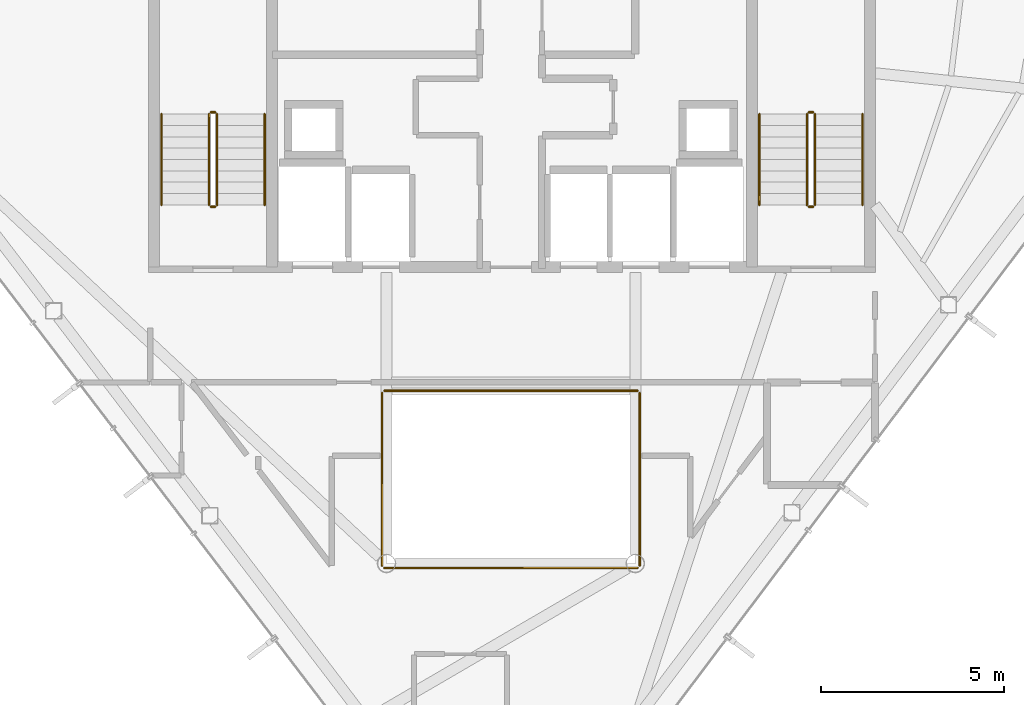
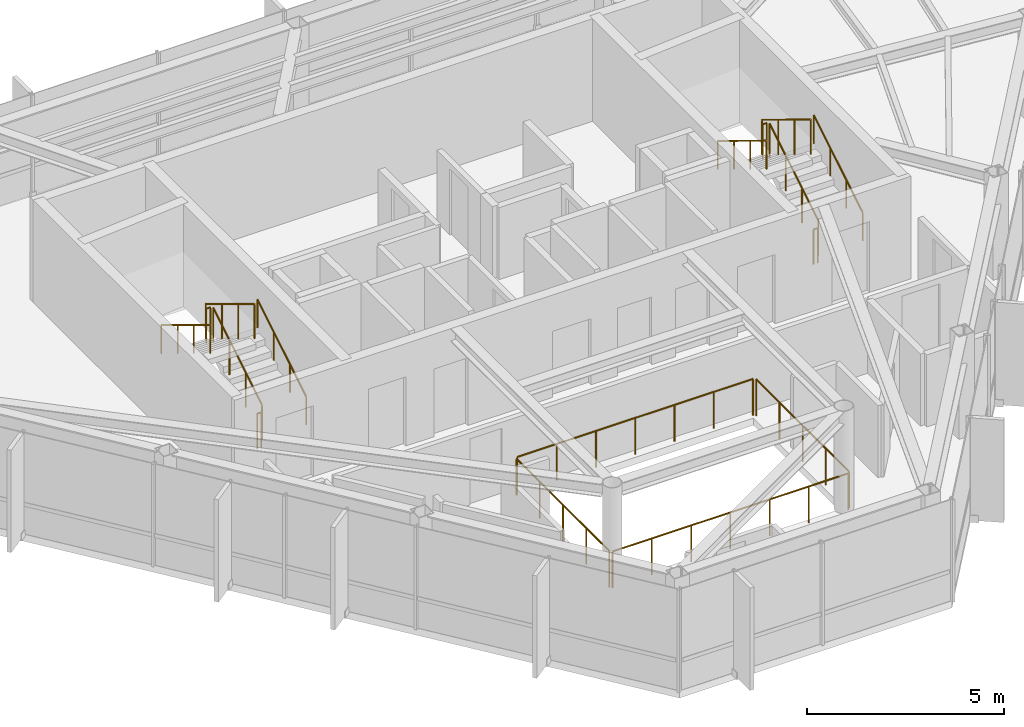
# One storey, part 22 of 22: 16 railings.
"""IFC4 building model written with IfcOpenShell, lengths in metres."""

from ifc_helpers import new_model, si_unit, direction, frame, origin, origin_2d, place, context, subcontext, project, spatial, circle, extrude, material, type_object, element, save


model = new_model("IFC4")

# Units and contexts
model_context = context("Model", 3, precision=1e-05, world=origin(), true_north=direction((0.0, 1.0)))
body_context = subcontext(model_context, "Body", "Model", "MODEL_VIEW")
ifc_project = project(units=[si_unit("LENGTHUNIT", "METRE"), si_unit("AREAUNIT", "SQUARE_METRE"), si_unit("VOLUMEUNIT", "CUBIC_METRE"), si_unit("PLANEANGLEUNIT", "RADIAN"), si_unit("MASSUNIT", "GRAM", prefix="KILO")], contexts=[model_context])

# Site, building, storey
site_placement = place(None, origin())
site = spatial("IfcSite", under=ifc_project, at=site_placement, CompositionType="ELEMENT")
building_placement = place(site_placement, origin())
building = spatial("IfcBuilding", under=site, at=building_placement, Name="Zarrinselat Tower", CompositionType="ELEMENT")
storey_placement = place(building_placement, frame((0.0, 0.0, 292.39990234375)))
storey = spatial("IfcBuildingStorey", under=building, at=storey_placement, Name="L75", CompositionType="ELEMENT", Elevation=292.39990234375)

# Railings
ifc_material_1 = material(Name="Double Low-E Laminated Solar Glass", Category="glass")
railing_type_1 = type_object("IfcRailingType", Name="RLG-ATRIUM-BAL", PredefinedType="BALUSTRADE", material=ifc_material_1)
railing_1_placement = place(storey_placement, frame((34.93994140625, 25.080078125, 0.0)))
element("IfcRailing", 1, at=railing_1_placement, inside=storey, type_object=railing_type_1, Name="L75 Atrium Void Glass Balustrade S", PredefinedType="BALUSTRADE", context=body_context, shape_type="SweptSolid", body=[
    extrude(circle(Radius=0.02392578125, at=origin_2d()), frame((0.0, 0.0, 1.1259765625), z_axis=(1.0, 0.0, 0.0), x_axis=(0.0, 1.0, 0.0)), (0.0, 0.0, 1.0), 6.920166015625),
    extrude(circle(Radius=0.02099609375, at=origin_2d()), origin(), (0.0, 0.0, 1.0), 1.099853515625),
    extrude(circle(Radius=0.02099609375, at=origin_2d()), frame((1.1533203125, 0.0, 0.0)), (0.0, 0.0, 1.0), 1.099853515625),
    extrude(circle(Radius=0.02099609375, at=origin_2d()), frame((2.306640625, 0.0, 0.0)), (0.0, 0.0, 1.0), 1.099853515625),
    extrude(circle(Radius=0.02099609375, at=origin_2d()), frame((3.4599609375, 0.0, 0.0)), (0.0, 0.0, 1.0), 1.099853515625),
    extrude(circle(Radius=0.02099609375, at=origin_2d()), frame((4.613525390625, 0.0, 0.0)), (0.0, 0.0, 1.0), 1.099853515625),
    extrude(circle(Radius=0.02099609375, at=origin_2d()), frame((5.766845703125, 0.0, 0.0)), (0.0, 0.0, 1.0), 1.099853515625),
    extrude(circle(Radius=0.02099609375, at=origin_2d()), frame((6.920166015625, 0.0, 0.0)), (0.0, 0.0, 1.0), 1.099853515625),
])
railing_2_placement = place(storey_placement, frame((41.919921875, 25.139892578125, 0.0)))
element("IfcRailing", 2, at=railing_2_placement, inside=storey, type_object=railing_type_1, Name="L75 Atrium Void Glass Balustrade E", PredefinedType="BALUSTRADE", context=body_context, shape_type="SweptSolid", body=[
    extrude(circle(Radius=0.02392578125, at=origin_2d()), frame((0.0, 0.0, 1.1259765625), z_axis=(0.0, 1.0, 0.0), x_axis=(-1.0, 0.0, 0.0)), (0.0, 0.0, 1.0), 4.72021484375),
    extrude(circle(Radius=0.02099609375, at=origin_2d()), origin(), (0.0, 0.0, 1.0), 1.099853515625),
    extrude(circle(Radius=0.02099609375, at=origin_2d()), frame((0.0, 1.18017578125, 0.0)), (0.0, 0.0, 1.0), 1.099853515625),
    extrude(circle(Radius=0.02099609375, at=origin_2d()), frame((0.0, 2.360107421875, 0.0)), (0.0, 0.0, 1.0), 1.099853515625),
    extrude(circle(Radius=0.02099609375, at=origin_2d()), frame((0.0, 3.5400390625, 0.0)), (0.0, 0.0, 1.0), 1.099853515625),
    extrude(circle(Radius=0.02099609375, at=origin_2d()), frame((0.0, 4.72021484375, 0.0)), (0.0, 0.0, 1.0), 1.099853515625),
])
railing_3_placement = place(storey_placement, frame((41.860107421875, 29.919921875, 0.0)))
element("IfcRailing", 3, at=railing_3_placement, inside=storey, type_object=railing_type_1, Name="L75 Atrium Void Glass Balustrade N", PredefinedType="BALUSTRADE", context=body_context, shape_type="SweptSolid", body=[
    extrude(circle(Radius=0.02392578125, at=origin_2d()), frame((0.0, 0.0, 1.1259765625), z_axis=(-1.0, 0.0, 0.0), x_axis=(0.0, -1.0, 0.0)), (0.0, 0.0, 1.0), 6.920166015625),
    extrude(circle(Radius=0.02099609375, at=origin_2d()), origin(), (0.0, 0.0, 1.0), 1.099853515625),
    extrude(circle(Radius=0.02099609375, at=origin_2d()), frame((-1.1533203125, 0.0, 0.0)), (0.0, 0.0, 1.0), 1.099853515625),
    extrude(circle(Radius=0.02099609375, at=origin_2d()), frame((-2.306640625, 0.0, 0.0)), (0.0, 0.0, 1.0), 1.099853515625),
    extrude(circle(Radius=0.02099609375, at=origin_2d()), frame((-3.4599609375, 0.0, 0.0)), (0.0, 0.0, 1.0), 1.099853515625),
    extrude(circle(Radius=0.02099609375, at=origin_2d()), frame((-4.613525390625, 0.0, 0.0)), (0.0, 0.0, 1.0), 1.099853515625),
    extrude(circle(Radius=0.02099609375, at=origin_2d()), frame((-5.766845703125, 0.0, 0.0)), (0.0, 0.0, 1.0), 1.099853515625),
    extrude(circle(Radius=0.02099609375, at=origin_2d()), frame((-6.920166015625, 0.0, 0.0)), (0.0, 0.0, 1.0), 1.099853515625),
])
railing_4_placement = place(storey_placement, frame((34.8798828125, 29.860107421875, 0.0)))
element("IfcRailing", 4, at=railing_4_placement, inside=storey, type_object=railing_type_1, Name="L75 Atrium Void Glass Balustrade W", PredefinedType="BALUSTRADE", context=body_context, shape_type="SweptSolid", body=[
    extrude(circle(Radius=0.02392578125, at=origin_2d()), frame((0.0, 0.0, 1.1259765625), z_axis=(0.0, -1.0, 0.0), x_axis=(1.0, 0.0, 0.0)), (0.0, 0.0, 1.0), 4.72021484375),
    extrude(circle(Radius=0.02099609375, at=origin_2d()), origin(), (0.0, 0.0, 1.0), 1.099853515625),
    extrude(circle(Radius=0.02099609375, at=origin_2d()), frame((0.0, -1.18017578125, 0.0)), (0.0, 0.0, 1.0), 1.099853515625),
    extrude(circle(Radius=0.02099609375, at=origin_2d()), frame((0.0, -2.360107421875, 0.0)), (0.0, 0.0, 1.0), 1.099853515625),
    extrude(circle(Radius=0.02099609375, at=origin_2d()), frame((0.0, -3.5400390625, 0.0)), (0.0, 0.0, 1.0), 1.099853515625),
    extrude(circle(Radius=0.02099609375, at=origin_2d()), frame((0.0, -4.72021484375, 0.0)), (0.0, 0.0, 1.0), 1.099853515625),
])
ifc_material_2 = material(Name="Steel S355J2", Category="steel")
railing_type_2 = type_object("IfcRailingType", Name="RLG-STAIR-GUARD", PredefinedType="GUARDRAIL", material=ifc_material_2)
railing_5_placement = place(storey_placement, frame((30.3701171875, 35.0, 0.18896484375)))
element("IfcRailing", 5, at=railing_5_placement, inside=storey, type_object=railing_type_2, Name="L75 ST-1 stair guard 1", PredefinedType="GUARDRAIL", context=body_context, shape_type="SweptSolid", body=[
    extrude(circle(Radius=0.02392578125, at=origin_2d()), frame((0.0, 0.0, 1.076171875), z_axis=(0.0, 0.853941963558, 0.520368256982), x_axis=(-1.0, 0.0, 0.0)), (0.0, 0.0, 1.0), 2.904052734375),
    extrude(circle(Radius=0.02099609375, at=origin_2d()), origin(), (0.0, 0.0, 1.0), 1.050048828125),
    extrude(circle(Radius=0.02099609375, at=origin_2d()), frame((0.0, 0.82666015625, 0.503662109375)), (0.0, 0.0, 1.0), 1.050048828125),
    extrude(circle(Radius=0.02099609375, at=origin_2d()), frame((0.0, 1.6533203125, 1.007568359375)), (0.0, 0.0, 1.0), 1.050048828125),
    extrude(circle(Radius=0.02099609375, at=origin_2d()), frame((0.0, 2.47998046875, 1.51123046875)), (0.0, 0.0, 1.0), 1.050048828125),
])
railing_6_placement = place(storey_placement, frame((30.320068359375, 37.530029296875, 1.7001953125)))
element("IfcRailing", 6, at=railing_6_placement, inside=storey, type_object=railing_type_2, Name="L75 ST-1 stair guard 2", PredefinedType="GUARDRAIL", context=body_context, shape_type="SweptSolid", body=[
    extrude(circle(Radius=0.02392578125, at=origin_2d()), frame((0.0, 0.0, 1.076171875), z_axis=(-1.0, 0.0, 0.0), x_axis=(0.0, -1.0, 0.0)), (0.0, 0.0, 1.0), 0.1201171875),
    extrude(circle(Radius=0.02099609375, at=origin_2d()), origin(), (0.0, 0.0, 1.0), 1.050048828125),
    extrude(circle(Radius=0.02099609375, at=origin_2d()), frame((-0.1201171875, 0.0, 0.0)), (0.0, 0.0, 1.0), 1.050048828125),
])
railing_7_placement = place(storey_placement, frame((30.14990234375, 37.47998046875, 1.888916015625)))
element("IfcRailing", 7, at=railing_7_placement, inside=storey, type_object=railing_type_2, Name="L75 ST-1 stair guard 3", PredefinedType="GUARDRAIL", context=body_context, shape_type="SweptSolid", body=[
    extrude(circle(Radius=0.02392578125, at=origin_2d()), frame((0.0, 0.0, 1.076171875), z_axis=(0.0, -0.853941963558, 0.520368256982), x_axis=(1.0, 0.0, 0.0)), (0.0, 0.0, 1.0), 2.904052734375),
    extrude(circle(Radius=0.02099609375, at=origin_2d()), origin(), (0.0, 0.0, 1.0), 1.050048828125),
    extrude(circle(Radius=0.02099609375, at=origin_2d()), frame((0.0, -0.82666015625, 0.503662109375)), (0.0, 0.0, 1.0), 1.050048828125),
    extrude(circle(Radius=0.02099609375, at=origin_2d()), frame((0.0, -1.6533203125, 1.007568359375)), (0.0, 0.0, 1.0), 1.050048828125),
    extrude(circle(Radius=0.02099609375, at=origin_2d()), frame((0.0, -2.47998046875, 1.51123046875)), (0.0, 0.0, 1.0), 1.050048828125),
])
railing_8_placement = place(storey_placement, frame((30.320068359375, 34.949951171875, 0.0)))
element("IfcRailing", 8, at=railing_8_placement, inside=storey, type_object=railing_type_2, Name="L75 ST-1 stair guard 4", PredefinedType="GUARDRAIL", context=body_context, shape_type="SweptSolid", body=[
    extrude(circle(Radius=0.02392578125, at=origin_2d()), frame((0.0, 0.0, 1.076171875), z_axis=(-1.0, 0.0, 0.0), x_axis=(0.0, -1.0, 0.0)), (0.0, 0.0, 1.0), 0.1201171875),
    extrude(circle(Radius=0.02099609375, at=origin_2d()), origin(), (0.0, 0.0, 1.0), 1.050048828125),
    extrude(circle(Radius=0.02099609375, at=origin_2d()), frame((-0.1201171875, 0.0, 0.0)), (0.0, 0.0, 1.0), 1.050048828125),
])
railing_9_placement = place(storey_placement, frame((46.7099609375, 35.0, 0.18896484375)))
element("IfcRailing", 9, at=railing_9_placement, inside=storey, type_object=railing_type_2, Name="L75 ST-2 stair guard 1", PredefinedType="GUARDRAIL", context=body_context, shape_type="SweptSolid", body=[
    extrude(circle(Radius=0.02392578125, at=origin_2d()), frame((0.0, 0.0, 1.076171875), z_axis=(0.0, 0.853941963558, 0.520368256982), x_axis=(-1.0, 0.0, 0.0)), (0.0, 0.0, 1.0), 2.904052734375),
    extrude(circle(Radius=0.02099609375, at=origin_2d()), origin(), (0.0, 0.0, 1.0), 1.050048828125),
    extrude(circle(Radius=0.02099609375, at=origin_2d()), frame((0.0, 0.82666015625, 0.503662109375)), (0.0, 0.0, 1.0), 1.050048828125),
    extrude(circle(Radius=0.02099609375, at=origin_2d()), frame((0.0, 1.6533203125, 1.007568359375)), (0.0, 0.0, 1.0), 1.050048828125),
    extrude(circle(Radius=0.02099609375, at=origin_2d()), frame((0.0, 2.47998046875, 1.51123046875)), (0.0, 0.0, 1.0), 1.050048828125),
])
railing_10_placement = place(storey_placement, frame((46.659912109375, 37.530029296875, 1.7001953125)))
element("IfcRailing", 10, at=railing_10_placement, inside=storey, type_object=railing_type_2, Name="L75 ST-2 stair guard 2", PredefinedType="GUARDRAIL", context=body_context, shape_type="SweptSolid", body=[
    extrude(circle(Radius=0.02392578125, at=origin_2d()), frame((0.0, 0.0, 1.076171875), z_axis=(-1.0, 0.0, 0.0), x_axis=(0.0, -1.0, 0.0)), (0.0, 0.0, 1.0), 0.119873046875),
    extrude(circle(Radius=0.02099609375, at=origin_2d()), origin(), (0.0, 0.0, 1.0), 1.050048828125),
    extrude(circle(Radius=0.02099609375, at=origin_2d()), frame((-0.119873046875, 0.0, 0.0)), (0.0, 0.0, 1.0), 1.050048828125),
])
railing_11_placement = place(storey_placement, frame((46.489990234375, 37.47998046875, 1.888916015625)))
element("IfcRailing", 11, at=railing_11_placement, inside=storey, type_object=railing_type_2, Name="L75 ST-2 stair guard 3", PredefinedType="GUARDRAIL", context=body_context, shape_type="SweptSolid", body=[
    extrude(circle(Radius=0.02392578125, at=origin_2d()), frame((0.0, 0.0, 1.076171875), z_axis=(0.0, -0.853941963558, 0.520368256982), x_axis=(1.0, 0.0, 0.0)), (0.0, 0.0, 1.0), 2.904052734375),
    extrude(circle(Radius=0.02099609375, at=origin_2d()), origin(), (0.0, 0.0, 1.0), 1.050048828125),
    extrude(circle(Radius=0.02099609375, at=origin_2d()), frame((0.0, -0.82666015625, 0.503662109375)), (0.0, 0.0, 1.0), 1.050048828125),
    extrude(circle(Radius=0.02099609375, at=origin_2d()), frame((0.0, -1.6533203125, 1.007568359375)), (0.0, 0.0, 1.0), 1.050048828125),
    extrude(circle(Radius=0.02099609375, at=origin_2d()), frame((0.0, -2.47998046875, 1.51123046875)), (0.0, 0.0, 1.0), 1.050048828125),
])
railing_12_placement = place(storey_placement, frame((46.659912109375, 34.949951171875, 0.0)))
element("IfcRailing", 12, at=railing_12_placement, inside=storey, type_object=railing_type_2, Name="L75 ST-2 stair guard 4", PredefinedType="GUARDRAIL", context=body_context, shape_type="SweptSolid", body=[
    extrude(circle(Radius=0.02392578125, at=origin_2d()), frame((0.0, 0.0, 1.076171875), z_axis=(-1.0, 0.0, 0.0), x_axis=(0.0, -1.0, 0.0)), (0.0, 0.0, 1.0), 0.119873046875),
    extrude(circle(Radius=0.02099609375, at=origin_2d()), origin(), (0.0, 0.0, 1.0), 1.050048828125),
    extrude(circle(Radius=0.02099609375, at=origin_2d()), frame((-0.119873046875, 0.0, 0.0)), (0.0, 0.0, 1.0), 1.050048828125),
])
ifc_material_3 = material(Name="Steel S355J2", Category="steel")
railing_type_3 = type_object("IfcRailingType", Name="RLG-STAIR-HAND", PredefinedType="HANDRAIL", material=ifc_material_3)
railing_13_placement = place(storey_placement, frame((31.669921875, 35.0, 0.18896484375)))
element("IfcRailing", 13, at=railing_13_placement, inside=storey, type_object=railing_type_3, Name="L75 ST-1 stair handrail 1", PredefinedType="HANDRAIL", context=body_context, shape_type="SweptSolid", body=[
    extrude(circle(Radius=0.02392578125, at=origin_2d()), frame((0.0, 0.0, 0.8759765625), z_axis=(0.0, 0.853941963558, 0.520368256982), x_axis=(-1.0, 0.0, 0.0)), (0.0, 0.0, 1.0), 2.904052734375),
    extrude(circle(Radius=0.02099609375, at=origin_2d()), origin(), (0.0, 0.0, 1.0), 0.849853515625),
    extrude(circle(Radius=0.02099609375, at=origin_2d()), frame((0.0, 0.82666015625, 0.503662109375)), (0.0, 0.0, 1.0), 0.849853515625),
    extrude(circle(Radius=0.02099609375, at=origin_2d()), frame((0.0, 1.6533203125, 1.007568359375)), (0.0, 0.0, 1.0), 0.849853515625),
    extrude(circle(Radius=0.02099609375, at=origin_2d()), frame((0.0, 2.47998046875, 1.51123046875)), (0.0, 0.0, 1.0), 0.849853515625),
])
railing_14_placement = place(storey_placement, frame((28.85009765625, 37.47998046875, 1.888916015625)))
element("IfcRailing", 14, at=railing_14_placement, inside=storey, type_object=railing_type_3, Name="L75 ST-1 stair handrail 2", PredefinedType="HANDRAIL", context=body_context, shape_type="SweptSolid", body=[
    extrude(circle(Radius=0.02392578125, at=origin_2d()), frame((0.0, 0.0, 0.8759765625), z_axis=(0.0, -0.853941963558, 0.520368256982), x_axis=(1.0, 0.0, 0.0)), (0.0, 0.0, 1.0), 2.904052734375),
    extrude(circle(Radius=0.02099609375, at=origin_2d()), origin(), (0.0, 0.0, 1.0), 0.849853515625),
    extrude(circle(Radius=0.02099609375, at=origin_2d()), frame((0.0, -0.82666015625, 0.503662109375)), (0.0, 0.0, 1.0), 0.849853515625),
    extrude(circle(Radius=0.02099609375, at=origin_2d()), frame((0.0, -1.6533203125, 1.007568359375)), (0.0, 0.0, 1.0), 0.849853515625),
    extrude(circle(Radius=0.02099609375, at=origin_2d()), frame((0.0, -2.47998046875, 1.51123046875)), (0.0, 0.0, 1.0), 0.849853515625),
])
railing_15_placement = place(storey_placement, frame((48.010009765625, 35.0, 0.18896484375)))
element("IfcRailing", 15, at=railing_15_placement, inside=storey, type_object=railing_type_3, Name="L75 ST-2 stair handrail 1", PredefinedType="HANDRAIL", context=body_context, shape_type="SweptSolid", body=[
    extrude(circle(Radius=0.02392578125, at=origin_2d()), frame((0.0, 0.0, 0.8759765625), z_axis=(0.0, 0.853941963558, 0.520368256982), x_axis=(-1.0, 0.0, 0.0)), (0.0, 0.0, 1.0), 2.904052734375),
    extrude(circle(Radius=0.02099609375, at=origin_2d()), origin(), (0.0, 0.0, 1.0), 0.849853515625),
    extrude(circle(Radius=0.02099609375, at=origin_2d()), frame((0.0, 0.82666015625, 0.503662109375)), (0.0, 0.0, 1.0), 0.849853515625),
    extrude(circle(Radius=0.02099609375, at=origin_2d()), frame((0.0, 1.6533203125, 1.007568359375)), (0.0, 0.0, 1.0), 0.849853515625),
    extrude(circle(Radius=0.02099609375, at=origin_2d()), frame((0.0, 2.47998046875, 1.51123046875)), (0.0, 0.0, 1.0), 0.849853515625),
])
railing_16_placement = place(storey_placement, frame((45.18994140625, 37.47998046875, 1.888916015625)))
element("IfcRailing", 16, at=railing_16_placement, inside=storey, type_object=railing_type_3, Name="L75 ST-2 stair handrail 2", PredefinedType="HANDRAIL", context=body_context, shape_type="SweptSolid", body=[
    extrude(circle(Radius=0.02392578125, at=origin_2d()), frame((0.0, 0.0, 0.8759765625), z_axis=(0.0, -0.853941963558, 0.520368256982), x_axis=(1.0, 0.0, 0.0)), (0.0, 0.0, 1.0), 2.904052734375),
    extrude(circle(Radius=0.02099609375, at=origin_2d()), origin(), (0.0, 0.0, 1.0), 0.849853515625),
    extrude(circle(Radius=0.02099609375, at=origin_2d()), frame((0.0, -0.82666015625, 0.503662109375)), (0.0, 0.0, 1.0), 0.849853515625),
    extrude(circle(Radius=0.02099609375, at=origin_2d()), frame((0.0, -1.6533203125, 1.007568359375)), (0.0, 0.0, 1.0), 0.849853515625),
    extrude(circle(Radius=0.02099609375, at=origin_2d()), frame((0.0, -2.47998046875, 1.51123046875)), (0.0, 0.0, 1.0), 0.849853515625),
])

save(model, "model.ifc")
